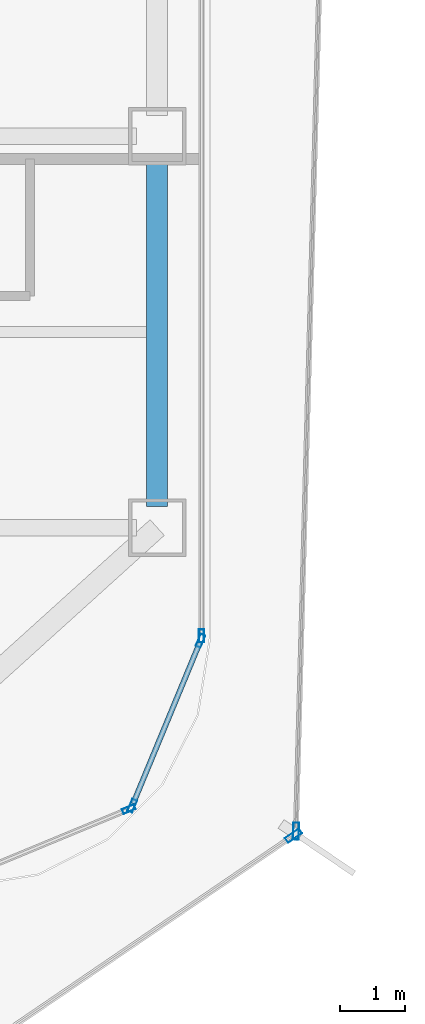
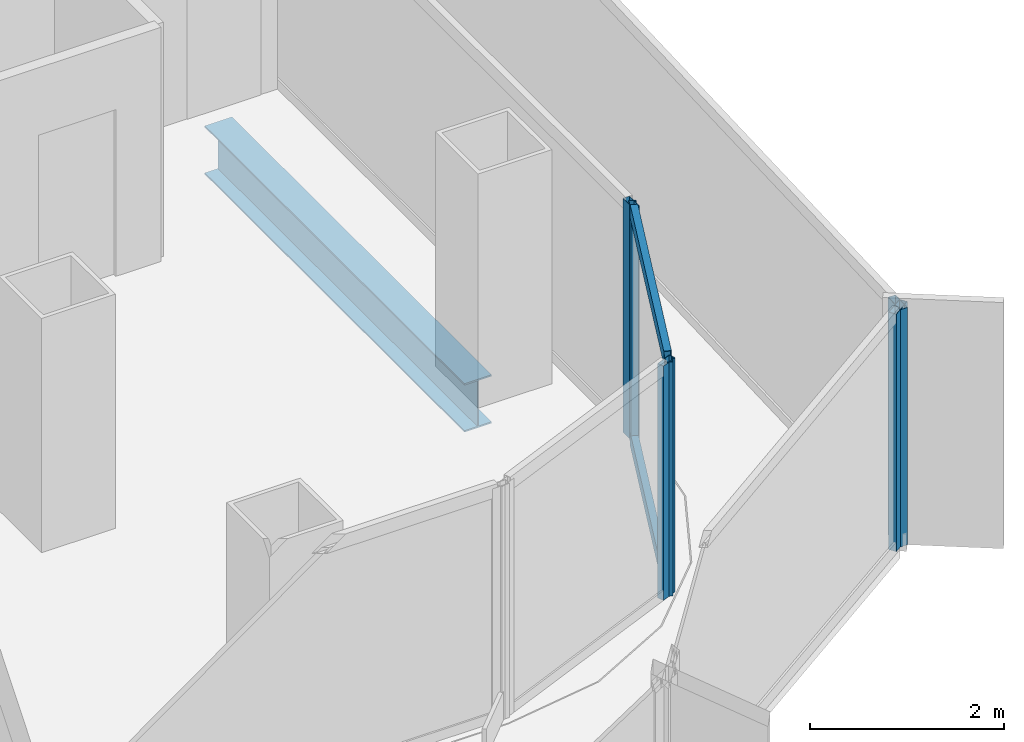
# One storey, part 8 of 21: 8 members, 1 beam, 5 elements without a shape of their own.
"""IFC4 building model written with IfcOpenShell, lengths in metres."""

from ifc_helpers import new_model, si_unit, direction, frame, origin, origin_2d, place, context, subcontext, project, spatial, hollow_rectangle, i_section, extrude, source, transform, mapped, material, layer, layer_set, material_profile, profile_set, type_object, element, aggregate, save


model = new_model("IFC4")

# Units and contexts
model_context = context("Model", 3, precision=1e-05, world=origin(), true_north=direction((0.0, 1.0)))
body_context = subcontext(model_context, "Body", "Model", "MODEL_VIEW")
ifc_project = project(units=[si_unit("LENGTHUNIT", "METRE"), si_unit("AREAUNIT", "SQUARE_METRE"), si_unit("VOLUMEUNIT", "CUBIC_METRE"), si_unit("PLANEANGLEUNIT", "RADIAN"), si_unit("MASSUNIT", "GRAM", prefix="KILO")], contexts=[model_context])

# Site, building, storey
site_placement = place(None, origin())
site = spatial("IfcSite", under=ifc_project, at=site_placement, CompositionType="ELEMENT")
building_placement = place(site_placement, origin())
building = spatial("IfcBuilding", under=site, at=building_placement, Name="Kolveth Station Tower", CompositionType="ELEMENT")
storey_placement = place(building_placement, frame((0.0, 0.0, 102.300048828125)))
storey = spatial("IfcBuildingStorey", under=building, at=storey_placement, Name="L27", CompositionType="ELEMENT", Elevation=102.300048828125)

# Beam
ifc_material_1 = material(Name="Steel S355", Category="steel")
ifc_material_profile_1 = material_profile(ifc_material_1, i_section(OverallWidth=0.323974609375, OverallDepth=0.611083984375, WebThickness=0.0126953125, FlangeThickness=0.01904296875, at=origin_2d()), Name="W610x155")
ifc_profile_set_1 = profile_set([ifc_material_profile_1], Name="Steel S355")
beam_type = type_object("IfcBeamType", Name="Beam_SP2", PredefinedType="SPANDREL", material=ifc_profile_set_1)
shared_shape_1 = source(origin(), body_context, "Body", "SweptSolid", [
    extrude(i_section(OverallWidth=0.323974609375, OverallDepth=0.611083984375, WebThickness=0.0126953125, FlangeThickness=0.01904296875, at=origin_2d()), origin(), (0.0, 0.0, 1.0), 5.35986328125),
])
beam_placement = place(storey_placement, frame((46.199951171875, 5.820068359375, -0.5556640625), z_axis=(0.0, 1.0, 0.0), x_axis=(-1.0, 0.0, 0.0)))
element("IfcBeam", 1, at=beam_placement, inside=storey, type_object=beam_type, Name="L27 Perimeter Spandrel BM-L27-PE-1", PredefinedType="SPANDREL", context=body_context, shape_type="MappedRepresentation", body=[
    mapped(shared_shape_1, transform((0.0, 0.0, 0.0), x_axis=(1.0, 0.0, 0.0), y_axis=(0.0, 1.0, 0.0), z_axis=(0.0, 0.0, 1.0), scale=1.0)),
])

# Curtain wall, member
ifc_material_2 = material(Name="Aluminium 6063-T6 and low-E dark glass", Category="aluminium")
ifc_layer_1 = layer(ifc_material_2, 0.18994140625)
ifc_layer_set_1 = layer_set([ifc_layer_1], Name="Aluminium 6063-T6 and low-E dark glass")
curtain_wall_type_1 = type_object("IfcCurtainWallType", Name="CurtainWall_CW-Z2", PredefinedType="NOTDEFINED", material=ifc_layer_set_1)
curtain_wall_1_placement = place(storey_placement, origin())
curtain_wall_1 = element("IfcCurtainWall", 2, at=curtain_wall_1_placement, inside=storey, type_object=curtain_wall_type_1, Name="L27 Inner Thermal Curtain Wall 1", PredefinedType="NOTDEFINED")
ifc_material_3 = material(Name="Black anodized aluminium 6063-T6", Category="aluminium")
ifc_material_profile_2 = material_profile(ifc_material_3, hollow_rectangle(XDim=0.080078125, YDim=0.199951171875, WallThickness=0.0048828125, at=origin_2d()), Name="ALU-80x200x5")
ifc_profile_set_2 = profile_set([ifc_material_profile_2], Name="Black anodized aluminium 6063-T6")
member_type_1 = type_object("IfcMemberType", Name="Mullion_ML2", PredefinedType="MULLION", material=ifc_profile_set_2)
shared_shape_2 = source(origin(), body_context, "Body", "SweptSolid", [
    extrude(hollow_rectangle(XDim=0.080078125, YDim=0.199951171875, WallThickness=0.0048828125, at=origin_2d()), origin(), (0.0, 0.0, 1.0), 2.949951171875),
])
member_1_placement = place(storey_placement, frame((45.76513671875, 1.182373046875, 0.0), z_axis=(0.0, 0.0, 1.0), x_axis=(-0.38266326998, 0.923887883787, 0.0)))
member_1 = element("IfcMember", 3, at=member_1_placement, type_object=member_type_1, Name="CW-Z2 mullion 2", PredefinedType="MULLION", context=body_context, shape_type="MappedRepresentation", body=[
    mapped(shared_shape_2, transform((0.0, 0.0, 0.0), x_axis=(1.0, 0.0, 0.0), y_axis=(0.0, 1.0, 0.0), z_axis=(0.0, 0.0, 1.0), scale=1.0)),
])
aggregate(curtain_wall_1, [member_1])

# Curtain wall, members
curtain_wall_2_placement = place(storey_placement, origin())
curtain_wall_2 = element("IfcCurtainWall", 4, at=curtain_wall_2_placement, inside=storey, type_object=curtain_wall_type_1, Name="L27 Inner Thermal Curtain Wall 2", PredefinedType="NOTDEFINED")
member_2_placement = place(storey_placement, frame((45.817626953125, 1.23486328125, 0.0), z_axis=(0.0, 0.0, 1.0), x_axis=(-0.923887883787, 0.38266326998, 0.0)))
member_2 = element("IfcMember", 5, at=member_2_placement, type_object=member_type_1, Name="CW-Z2 mullion 1", PredefinedType="MULLION", context=body_context, shape_type="MappedRepresentation", body=[
    mapped(shared_shape_2, transform((0.0, 0.0, 0.0), x_axis=(1.0, 0.0, 0.0), y_axis=(0.0, 1.0, 0.0), z_axis=(0.0, 0.0, 1.0), scale=1.0)),
])
member_3_placement = place(storey_placement, frame((46.86474609375, 3.762939453125, 0.0), z_axis=(0.0, 0.0, 1.0), x_axis=(-0.923887883787, 0.38266326998, 0.0)))
member_3 = element("IfcMember", 6, at=member_3_placement, type_object=member_type_1, Name="CW-Z2 mullion 2", PredefinedType="MULLION", context=body_context, shape_type="MappedRepresentation", body=[
    mapped(shared_shape_2, transform((0.0, 0.0, 0.0), x_axis=(1.0, 0.0, 0.0), y_axis=(0.0, 1.0, 0.0), z_axis=(0.0, 0.0, 1.0), scale=1.0)),
])

# Curtain wall, member
curtain_wall_3_placement = place(storey_placement, origin())
curtain_wall_3 = element("IfcCurtainWall", 7, at=curtain_wall_3_placement, inside=storey, type_object=curtain_wall_type_1, Name="L27 Inner Thermal Curtain Wall 3", PredefinedType="NOTDEFINED")
member_4_placement = place(storey_placement, frame((46.8798828125, 3.840087890625, 0.0), z_axis=(0.0, 0.0, 1.0), x_axis=(-1.0, 0.0, 0.0)))
member_4 = element("IfcMember", 8, at=member_4_placement, type_object=member_type_1, Name="CW-Z2 mullion 1", PredefinedType="MULLION", context=body_context, shape_type="MappedRepresentation", body=[
    mapped(shared_shape_2, transform((0.0, 0.0, 0.0), x_axis=(1.0, 0.0, 0.0), y_axis=(0.0, 1.0, 0.0), z_axis=(0.0, 0.0, 1.0), scale=1.0)),
])
aggregate(curtain_wall_3, [member_4])

# Member
ifc_material_profile_3 = material_profile(ifc_material_3, hollow_rectangle(XDim=0.080078125, YDim=0.169921875, WallThickness=0.0048828125, at=origin_2d()), Name="ALU-80x170x5")
ifc_profile_set_3 = profile_set([ifc_material_profile_3], Name="Black anodized aluminium 6063-T6")
member_type_2 = type_object("IfcMemberType", Name="Transom_TR2", PredefinedType="USERDEFINED", material=ifc_profile_set_3)
shared_shape_3 = source(origin(), body_context, "Body", "SweptSolid", [
    extrude(hollow_rectangle(XDim=0.080078125, YDim=0.169921875, WallThickness=0.0048828125, at=origin_2d()), origin(), (0.0, 0.0, 1.0), 2.656494140625),
])
member_5_placement = place(storey_placement, frame((45.832763671875, 1.271728515625, 0.0400390625), z_axis=(0.382676455475, 0.923882422403, 0.0), x_axis=(-0.923882422403, 0.382676455475, 0.0)))
member_5 = element("IfcMember", 9, at=member_5_placement, type_object=member_type_2, Name="CW-Z2 transom 1.1", ObjectType="TRANSOM", PredefinedType="USERDEFINED", context=body_context, shape_type="MappedRepresentation", body=[
    mapped(shared_shape_3, transform((0.0, 0.0, 0.0), x_axis=(1.0, 0.0, 0.0), y_axis=(0.0, 1.0, 0.0), z_axis=(0.0, 0.0, 1.0), scale=1.0)),
])

member_6_placement = place(storey_placement, frame((45.832763671875, 1.271728515625, 2.909912109375), z_axis=(0.382676455475, 0.923882422403, 0.0), x_axis=(-0.923882422403, 0.382676455475, 0.0)))
member_6 = element("IfcMember", 10, at=member_6_placement, type_object=member_type_2, Name="CW-Z2 transom 1.2", ObjectType="TRANSOM", PredefinedType="USERDEFINED", context=body_context, shape_type="MappedRepresentation", body=[
    mapped(shared_shape_3, transform((0.0, 0.0, 0.0), x_axis=(1.0, 0.0, 0.0), y_axis=(0.0, 1.0, 0.0), z_axis=(0.0, 0.0, 1.0), scale=1.0)),
])

aggregate(curtain_wall_2, [member_2, member_3, member_5, member_6])

# Curtain wall, member
ifc_material_4 = material(Name="Black anodized aluminium 6063-T6 and dark solar glass", Category="aluminium")
ifc_layer_2 = layer(ifc_material_4, 0.159912109375)
ifc_layer_set_2 = layer_set([ifc_layer_2], Name="Black anodized aluminium 6063-T6 and dark solar glass")
curtain_wall_type_2 = type_object("IfcCurtainWallType", Name="OUTER SKIN CW-OS", PredefinedType="NOTDEFINED", material=ifc_layer_set_2)
curtain_wall_4_placement = place(storey_placement, origin())
curtain_wall_4 = element("IfcCurtainWall", 11, at=curtain_wall_4_placement, inside=storey, type_object=curtain_wall_type_2, Name="L27 Outer Ventilated Skin Curtain Wall 1", PredefinedType="NOTDEFINED")
ifc_material_profile_4 = material_profile(ifc_material_3, hollow_rectangle(XDim=0.090087890625, YDim=0.260009765625, WallThickness=0.0048828125, at=origin_2d()), Name="ALU-90x260x5")
ifc_profile_set_4 = profile_set([ifc_material_profile_4], Name="Black anodized aluminium 6063-T6")
member_type_3 = type_object("IfcMemberType", Name="FIN MULLION ML-OS", PredefinedType="MULLION", material=ifc_profile_set_4)
shared_shape_4 = source(origin(), body_context, "Body", "SweptSolid", [
    extrude(hollow_rectangle(XDim=0.090087890625, YDim=0.260009765625, WallThickness=0.0048828125, at=origin_2d()), origin(), (0.0, 0.0, 1.0), 2.989990234375),
])
member_7_placement = place(storey_placement, frame((48.290771484375, 0.7763671875, 0.0), z_axis=(0.0, 0.0, 1.0), x_axis=(-0.562957717264, 0.826485697742, 0.0)))
member_7 = element("IfcMember", 12, at=member_7_placement, type_object=member_type_3, Name="CW-OS mullion 2", PredefinedType="MULLION", context=body_context, shape_type="MappedRepresentation", body=[
    mapped(shared_shape_4, transform((0.0, 0.0, 0.0), x_axis=(1.0, 0.0, 0.0), y_axis=(0.0, 1.0, 0.0), z_axis=(0.0, 0.0, 1.0), scale=1.0)),
])
aggregate(curtain_wall_4, [member_7])

curtain_wall_5_placement = place(storey_placement, origin())
curtain_wall_5 = element("IfcCurtainWall", 13, at=curtain_wall_5_placement, inside=storey, type_object=curtain_wall_type_2, Name="L27 Outer Ventilated Skin Curtain Wall 2", PredefinedType="NOTDEFINED")
member_8_placement = place(storey_placement, frame((48.329345703125, 0.8466796875, 0.0), z_axis=(0.0, 0.0, 1.0), x_axis=(-0.999617694074, 0.027648972742, 0.0)))
member_8 = element("IfcMember", 14, at=member_8_placement, type_object=member_type_3, Name="CW-OS mullion 1", PredefinedType="MULLION", context=body_context, shape_type="MappedRepresentation", body=[
    mapped(shared_shape_4, transform((0.0, 0.0, 0.0), x_axis=(1.0, 0.0, 0.0), y_axis=(0.0, 1.0, 0.0), z_axis=(0.0, 0.0, 1.0), scale=1.0)),
])
aggregate(curtain_wall_5, [member_8])

save(model, "model.ifc")
